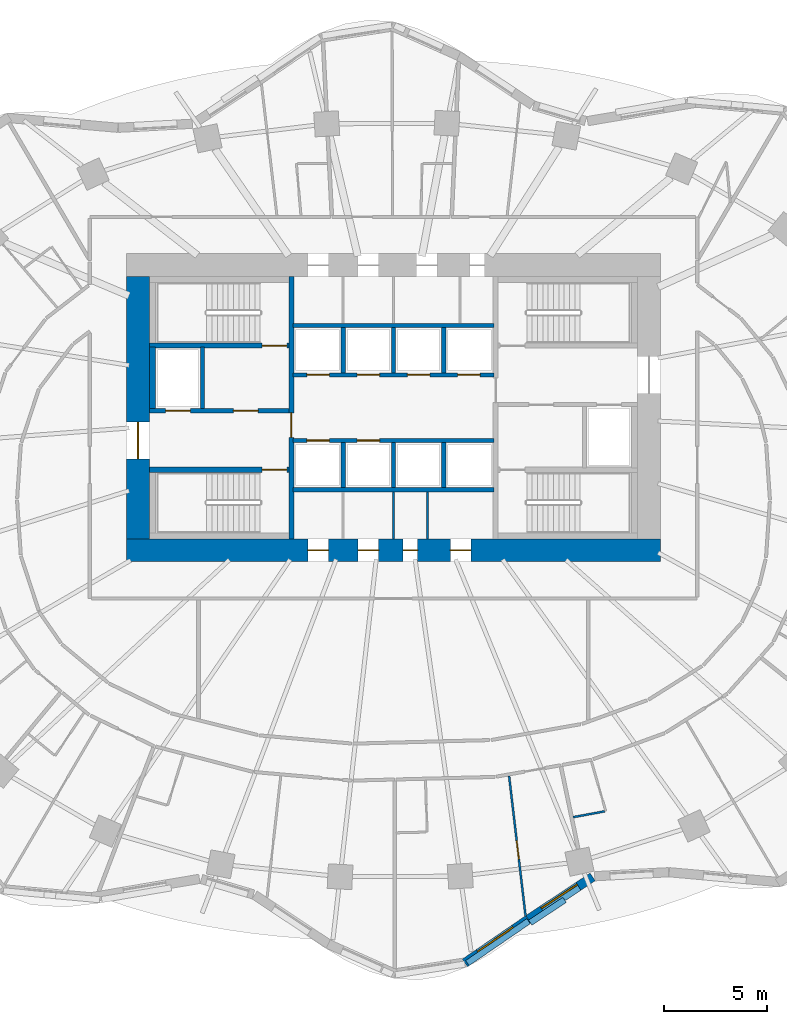
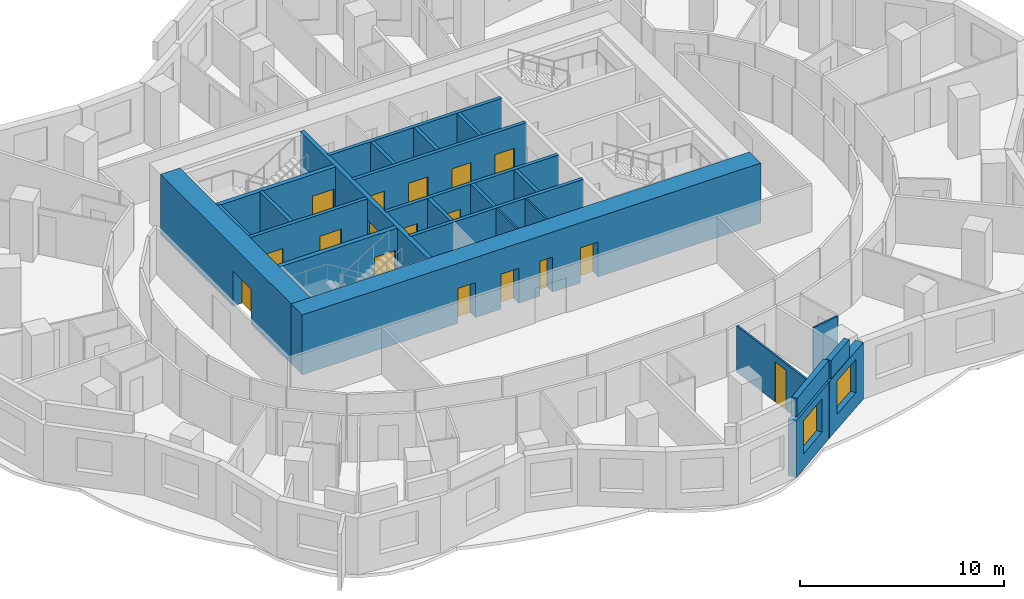
# One storey, part 5 of 11: 26 walls, 17 doors, 2 windows, 19 openings.
"""IFC4 building model written with IfcOpenShell, lengths in metres."""

from ifc_helpers import new_model, si_unit, direction, frame, frame_2d, origin, place, context, subcontext, project, spatial, rectangle, extrude, material, layer, layer_set, type_object, element, fill, save


model = new_model("IFC4")

# Units and contexts
model_context = context("Model", 3, precision=1e-05, world=origin(), true_north=direction((0.0, 1.0)))
body_context = subcontext(model_context, "Body", "Model", "MODEL_VIEW")
ifc_project = project(units=[si_unit("LENGTHUNIT", "METRE"), si_unit("AREAUNIT", "SQUARE_METRE"), si_unit("VOLUMEUNIT", "CUBIC_METRE"), si_unit("PLANEANGLEUNIT", "RADIAN"), si_unit("MASSUNIT", "GRAM", prefix="KILO")], contexts=[model_context])

# Site, building, storey
site_placement = place(None, origin())
site = spatial("IfcSite", under=ifc_project, at=site_placement, CompositionType="ELEMENT")
building_placement = place(site_placement, origin())
building = spatial("IfcBuilding", under=site, at=building_placement, Name="Rubra Terraces Tower", CompositionType="ELEMENT")
storey_placement = place(building_placement, frame((0.0, 0.0, 81.60009765625)))
storey = spatial("IfcBuildingStorey", under=building, at=storey_placement, Name="L18", CompositionType="ELEMENT", Elevation=81.60009765625)

# Wall, opening, window
ifc_material_1 = material(Name="Brick masonry red-brown", Category="masonry")
ifc_layer_1 = layer(ifc_material_1, 0.449951171875)
ifc_layer_set_1 = layer_set([ifc_layer_1], Name="Brick masonry red-brown")
wall_type_1 = type_object("IfcWallType", Name="Brick facade wall 450", PredefinedType="SOLIDWALL", material=ifc_layer_set_1)
wall_1_placement = place(storey_placement, frame((3.478515625, -22.559814453125, 0.0), z_axis=(0.0, 0.0, 1.0), x_axis=(0.824722766417, 0.565537230033, 0.0)))
wall_1 = element("IfcWall", 1, at=wall_1_placement, inside=storey, type_object=wall_type_1, Name="Facade wall L18 bay 32", PredefinedType="SOLIDWALL", context=body_context, shape_type="SweptSolid", body=[
    extrude(rectangle(XDim=3.742431640625, YDim=0.449951171875, at=frame_2d((1.87109375, 0.0))), origin(), (0.0, 0.0, 1.0), 3.39990234375),
])
opening_1_placement = place(wall_1_placement, frame((0.8212890625, 0.0, 0.89990234375)))
opening_1 = element("IfcOpeningElement", 2, at=opening_1_placement, cuts=wall_1, Name="Opening W1", PredefinedType="OPENING", context=body_context, shape_type="SweptSolid", body=[
    extrude(rectangle(XDim=2.10009765625, YDim=2.0, at=frame_2d((1.050048828125, 1.0))), frame((0.0, 0.23486328125, 0.0), z_axis=(0.0, -1.0, 0.0), x_axis=(1.0, 0.0, 0.0)), (0.0, 0.0, 1.0), 0.469970703125),
])
ifc_material_2 = material(Name="Clear glass in aluminium frame", Category="aluminium")
window_type = type_object("IfcWindowType", Name="Fixed deep-set window 2100 x 2000", PartitioningType="SINGLE_PANEL", PredefinedType="WINDOW", material=ifc_material_2)
window_1_placement = place(opening_1_placement, origin())
window_1 = element("IfcWindow", 3, at=window_1_placement, inside=storey, type_object=window_type, Name="Window L18 bay 32", OverallHeight=2.0, OverallWidth=2.10009765625, PartitioningType="SINGLE_PANEL", PredefinedType="WINDOW", context=body_context, shape_type="SweptSolid", body=[
    extrude(rectangle(XDim=2.10009765625, YDim=2.0, at=frame_2d((1.050048828125, 1.0))), frame((0.0, 0.135009765625, 0.0), z_axis=(0.0, -1.0, 0.0), x_axis=(1.0, 0.0, 0.0)), (0.0, 0.0, 1.0), 0.06005859375),
])
fill(opening_1, window_1)

wall_2_placement = place(storey_placement, frame((6.568115234375, -20.44140625, 0.0), z_axis=(0.0, 0.0, 1.0), x_axis=(0.834034214531, 0.551712723246, 0.0)))
wall_2 = element("IfcWall", 4, at=wall_2_placement, inside=storey, type_object=wall_type_1, Name="Facade wall L18 bay 33", PredefinedType="SOLIDWALL", context=body_context, shape_type="SweptSolid", body=[
    extrude(rectangle(XDim=3.75732421875, YDim=0.449951171875, at=frame_2d((1.878662109375, 0.0))), origin(), (0.0, 0.0, 1.0), 3.39990234375),
])
opening_2_placement = place(wall_2_placement, frame((0.82861328125, 0.0, 0.89990234375)))
opening_2 = element("IfcOpeningElement", 5, at=opening_2_placement, cuts=wall_2, Name="Opening W1", PredefinedType="OPENING", context=body_context, shape_type="SweptSolid", body=[
    extrude(rectangle(XDim=2.10009765625, YDim=2.0, at=frame_2d((1.050048828125, 1.0))), frame((0.0, 0.23486328125, 0.0), z_axis=(0.0, -1.0, 0.0), x_axis=(1.0, 0.0, 0.0)), (0.0, 0.0, 1.0), 0.469970703125),
])
window_2_placement = place(opening_2_placement, origin())
window_2 = element("IfcWindow", 6, at=window_2_placement, inside=storey, type_object=window_type, Name="Window L18 bay 33", OverallHeight=2.0, OverallWidth=2.10009765625, PartitioningType="SINGLE_PANEL", PredefinedType="WINDOW", context=body_context, shape_type="SweptSolid", body=[
    extrude(rectangle(XDim=2.10009765625, YDim=2.0, at=frame_2d((1.050048828125, 1.0))), frame((0.0, 0.135009765625, 0.0), z_axis=(0.0, -1.0, 0.0), x_axis=(1.0, 0.0, 0.0)), (0.0, 0.0, 1.0), 0.06005859375),
])
fill(opening_2, window_2)

# Walls
ifc_layer_2 = layer(ifc_material_1, 0.300048828125)
ifc_layer_set_2 = layer_set([ifc_layer_2], Name="Brick masonry red-brown")
wall_type_2 = type_object("IfcWallType", Name="Brick parapet 300", PredefinedType="PARAPET", material=ifc_layer_set_2)
wall_3_placement = place(storey_placement, frame((3.59912109375, -22.56787109375, 3.599853515625), z_axis=(0.0, 0.0, 1.0), x_axis=(0.82476034254, 0.565482428881, 0.0)))
element("IfcWall", 7, at=wall_3_placement, inside=storey, type_object=wall_type_2, Name="Parapet L18 bay 32", PredefinedType="PARAPET", context=body_context, shape_type="SweptSolid", body=[
    extrude(rectangle(XDim=3.61572265625, YDim=0.300048828125, at=frame_2d((1.807861328125, 0.0))), origin(), (0.0, 0.0, 1.0), 1.10009765625),
])
wall_4_placement = place(storey_placement, frame((6.665283203125, -20.593017578125, 3.599853515625), z_axis=(0.0, 0.0, 1.0), x_axis=(0.834027642059, 0.551722658843, 0.0)))
element("IfcWall", 8, at=wall_4_placement, inside=storey, type_object=wall_type_2, Name="Parapet L18 bay 33", PredefinedType="PARAPET", context=body_context, shape_type="SweptSolid", body=[
    extrude(rectangle(XDim=2.008056640625, YDim=0.300048828125, at=frame_2d((1.00390625, 0.0))), origin(), (0.0, 0.0, 1.0), 1.10009765625),
])

# Wall, openings, doors
ifc_material_3 = material(Name="Concrete C60", Category="concrete")
ifc_layer_3 = layer(ifc_material_3, 1.10009765625)
ifc_layer_set_3 = layer_set([ifc_layer_3], Name="Concrete C60")
wall_type_3 = type_object("IfcWallType", Name="CORE WALL 1100 C60", PredefinedType="SHEAR", material=ifc_layer_set_3)
wall_5_placement = place(storey_placement, frame((-13.0, -2.449951171875, 0.0), z_axis=(0.0, 0.0, 1.0), x_axis=(1.0, 0.0, 0.0)))
wall_5 = element("IfcWall", 9, at=wall_5_placement, inside=storey, type_object=wall_type_3, Name="CORE WALL S L18", PredefinedType="SHEAR", context=body_context, shape_type="SweptSolid", body=[
    extrude(rectangle(XDim=26.0, YDim=1.10009765625, at=frame_2d((13.0, 0.0))), origin(), (0.0, 0.0, 1.0), 3.599853515625),
])
opening_3_placement = place(wall_5_placement, frame((8.824951171875, 0.0, 0.0)))
opening_3 = element("IfcOpeningElement", 10, at=opening_3_placement, cuts=wall_5, Name="Opening L18.C19", PredefinedType="OPENING", context=body_context, shape_type="SweptSolid", body=[
    extrude(rectangle(XDim=1.0, YDim=2.10009765625, at=frame_2d((0.5, 1.050048828125))), frame((0.0, 0.56005859375, 0.0), z_axis=(0.0, -1.0, 0.0), x_axis=(1.0, 0.0, 0.0)), (0.0, 0.0, 1.0), 1.1201171875),
])
opening_4_placement = place(wall_5_placement, frame((11.27490234375, 0.0, 0.0)))
opening_4 = element("IfcOpeningElement", 11, at=opening_4_placement, cuts=wall_5, Name="Opening L18.C20", PredefinedType="OPENING", context=body_context, shape_type="SweptSolid", body=[
    extrude(rectangle(XDim=1.0, YDim=2.10009765625, at=frame_2d((0.5, 1.050048828125))), frame((0.0, 0.56005859375, 0.0), z_axis=(0.0, -1.0, 0.0), x_axis=(1.0, 0.0, 0.0)), (0.0, 0.0, 1.0), 1.1201171875),
])
opening_5_placement = place(wall_5_placement, frame((13.47509765625, 0.0, 0.0)))
opening_5 = element("IfcOpeningElement", 12, at=opening_5_placement, cuts=wall_5, Name="Opening L18.C21", PredefinedType="OPENING", context=body_context, shape_type="SweptSolid", body=[
    extrude(rectangle(XDim=0.699951171875, YDim=2.10009765625, at=frame_2d((0.35009765625, 1.050048828125))), frame((0.0, 0.56005859375, 0.0), z_axis=(0.0, -1.0, 0.0), x_axis=(1.0, 0.0, 0.0)), (0.0, 0.0, 1.0), 1.1201171875),
])
opening_6_placement = place(wall_5_placement, frame((15.77490234375, 0.0, 0.0)))
opening_6 = element("IfcOpeningElement", 13, at=opening_6_placement, cuts=wall_5, Name="Opening L18.C22", PredefinedType="OPENING", context=body_context, shape_type="SweptSolid", body=[
    extrude(rectangle(XDim=1.0, YDim=2.10009765625, at=frame_2d((0.5, 1.050048828125))), frame((0.0, 0.56005859375, 0.0), z_axis=(0.0, -1.0, 0.0), x_axis=(1.0, 0.0, 0.0)), (0.0, 0.0, 1.0), 1.1201171875),
])
ifc_material_4 = material(Name="Painted steel", Category="steel")
door_type_1 = type_object("IfcDoorType", Name="Fire door 1000x2100 single", OperationType="NOTDEFINED", PredefinedType="DOOR", material=ifc_material_4)
door_1_placement = place(opening_3_placement, origin())
door_1 = element("IfcDoor", 14, at=door_1_placement, inside=storey, type_object=door_type_1, Name="Guest pantry door", OperationType="SINGLE_SWING_LEFT", OverallHeight=2.10009765625, OverallWidth=1.0, PredefinedType="DOOR", context=body_context, shape_type="SweptSolid", body=[
    extrude(rectangle(XDim=1.0, YDim=2.10009765625, at=frame_2d((0.5, 1.050048828125))), frame((0.0, 0.02490234375, 0.0), z_axis=(0.0, -1.0, 0.0), x_axis=(1.0, 0.0, 0.0)), (0.0, 0.0, 1.0), 0.050048828125),
])
fill(opening_3, door_1)
door_2_placement = place(opening_4_placement, origin())
door_2 = element("IfcDoor", 15, at=door_2_placement, inside=storey, type_object=door_type_1, Name="Linen store door", OperationType="SINGLE_SWING_RIGHT", OverallHeight=2.10009765625, OverallWidth=1.0, PredefinedType="DOOR", context=body_context, shape_type="SweptSolid", body=[
    extrude(rectangle(XDim=1.0, YDim=2.10009765625, at=frame_2d((0.5, 1.050048828125))), frame((0.0, 0.02490234375, 0.0), z_axis=(0.0, -1.0, 0.0), x_axis=(1.0, 0.0, 0.0)), (0.0, 0.0, 1.0), 0.050048828125),
])
fill(opening_4, door_2)
door_3_placement = place(opening_6_placement, origin())
door_3 = element("IfcDoor", 16, at=door_3_placement, inside=storey, type_object=door_type_1, Name="Housekeeping store door", OperationType="SINGLE_SWING_RIGHT", OverallHeight=2.10009765625, OverallWidth=1.0, PredefinedType="DOOR", context=body_context, shape_type="SweptSolid", body=[
    extrude(rectangle(XDim=1.0, YDim=2.10009765625, at=frame_2d((0.5, 1.050048828125))), frame((0.0, 0.02490234375, 0.0), z_axis=(0.0, -1.0, 0.0), x_axis=(1.0, 0.0, 0.0)), (0.0, 0.0, 1.0), 0.050048828125),
])
fill(opening_6, door_3)
door_type_2 = type_object("IfcDoorType", Name="Riser access door 700x2100 single", OperationType="NOTDEFINED", PredefinedType="DOOR", material=ifc_material_4)
door_4_placement = place(opening_5_placement, origin())
door_4 = element("IfcDoor", 17, at=door_4_placement, inside=storey, type_object=door_type_2, Name="Electrical riser room door", OperationType="SINGLE_SWING_LEFT", OverallHeight=2.10009765625, OverallWidth=0.699951171875, PredefinedType="DOOR", context=body_context, shape_type="SweptSolid", body=[
    extrude(rectangle(XDim=0.699951171875, YDim=2.10009765625, at=frame_2d((0.35009765625, 1.050048828125))), frame((0.0, 0.02490234375, 0.0), z_axis=(0.0, -1.0, 0.0), x_axis=(1.0, 0.0, 0.0)), (0.0, 0.0, 1.0), 0.050048828125),
])
fill(opening_5, door_4)

# Wall, opening, door
wall_6_placement = place(storey_placement, frame((-12.449951171875, -1.89990234375, 0.0), z_axis=(0.0, 0.0, 1.0), x_axis=(0.0, 1.0, 0.0)))
wall_6 = element("IfcWall", 18, at=wall_6_placement, inside=storey, type_object=wall_type_3, Name="CORE WALL W L18", PredefinedType="SHEAR", context=body_context, shape_type="SweptSolid", body=[
    extrude(rectangle(XDim=12.7998046875, YDim=1.10009765625, at=frame_2d((6.39990234375, 0.0))), origin(), (0.0, 0.0, 1.0), 3.599853515625),
])
opening_7_placement = place(wall_6_placement, frame((3.89990234375, 0.0, 0.0)))
opening_7 = element("IfcOpeningElement", 19, at=opening_7_placement, cuts=wall_6, Name="Opening L18.C01", PredefinedType="OPENING", context=body_context, shape_type="SweptSolid", body=[
    extrude(rectangle(XDim=1.800048828125, YDim=2.10009765625, at=frame_2d((0.89990234375, 1.050048828125))), frame((0.0, 0.56005859375, 0.0), z_axis=(0.0, -1.0, 0.0), x_axis=(1.0, 0.0, 0.0)), (0.0, 0.0, 1.0), 1.1201171875),
])
door_type_3 = type_object("IfcDoorType", Name="Fire door 1800x2100 double", OperationType="NOTDEFINED", PredefinedType="DOOR", material=ifc_material_4)
door_5_placement = place(opening_7_placement, origin())
door_5 = element("IfcDoor", 20, at=door_5_placement, inside=storey, type_object=door_type_3, Name="Core entrance door FF1", OperationType="DOUBLE_DOOR_SINGLE_SWING", OverallHeight=2.10009765625, OverallWidth=1.800048828125, PredefinedType="DOOR", context=body_context, shape_type="SweptSolid", body=[
    extrude(rectangle(XDim=1.800048828125, YDim=2.10009765625, at=frame_2d((0.89990234375, 1.050048828125))), frame((0.0, 0.02490234375, 0.0), z_axis=(0.0, -1.0, 0.0), x_axis=(1.0, 0.0, 0.0)), (0.0, 0.0, 1.0), 0.050048828125),
])
fill(opening_7, door_5)

# Wall
ifc_material_5 = material(Name="Concrete C40", Category="concrete")
ifc_layer_4 = layer(ifc_material_5, 0.300048828125)
ifc_layer_set_4 = layer_set([ifc_layer_4], Name="Concrete C40")
wall_type_4 = type_object("IfcWallType", Name="Core lining wall 300 concrete", PredefinedType="SOLIDWALL", material=ifc_layer_set_4)
wall_7_placement = place(storey_placement, frame((-11.75, 4.449951171875, 0.0), z_axis=(0.0, 0.0, 1.0), x_axis=(0.0, 1.0, 0.0)))
element("IfcWall", 21, at=wall_7_placement, inside=storey, type_object=wall_type_4, Name="CORE LINING WALL L18", PredefinedType="SOLIDWALL", context=body_context, shape_type="SweptSolid", body=[
    extrude(rectangle(XDim=3.0, YDim=0.300048828125, at=frame_2d((1.5, 0.0))), origin(), (0.0, 0.0, 1.0), 3.39990234375),
])

# Wall, openings, doors
ifc_material_6 = material(Name="Concrete C30", Category="concrete")
ifc_layer_5 = layer(ifc_material_6, 0.199951171875)
ifc_layer_set_5 = layer_set([ifc_layer_5], Name="Concrete C30")
wall_type_5 = type_object("IfcWallType", Name="Core wall 200 concrete", PredefinedType="SOLIDWALL", material=ifc_layer_set_5)
wall_8_placement = place(storey_placement, frame((-11.89990234375, 4.35009765625, 0.0), z_axis=(0.0, 0.0, 1.0), x_axis=(1.0, 0.0, 0.0)))
wall_8 = element("IfcWall", 22, at=wall_8_placement, inside=storey, type_object=wall_type_5, Name="STAIR WALL L18", PredefinedType="SOLIDWALL", context=body_context, shape_type="SweptSolid", body=[
    extrude(rectangle(XDim=6.7998046875, YDim=0.199951171875, at=frame_2d((3.39990234375, 0.0))), origin(), (0.0, 0.0, 1.0), 3.39990234375),
])
opening_8_placement = place(wall_8_placement, frame((4.10009765625, 0.0, 0.0)))
opening_8 = element("IfcOpeningElement", 23, at=opening_8_placement, cuts=wall_8, Name="Opening L18.C05", PredefinedType="OPENING", context=body_context, shape_type="SweptSolid", body=[
    extrude(rectangle(XDim=1.199951171875, YDim=2.10009765625, at=frame_2d((0.60009765625, 1.050048828125))), frame((0.0, 0.10986328125, 0.0), z_axis=(0.0, -1.0, 0.0), x_axis=(1.0, 0.0, 0.0)), (0.0, 0.0, 1.0), 0.219970703125),
])
opening_9_placement = place(wall_8_placement, frame((0.800048828125, 0.0, 0.0)))
opening_9 = element("IfcOpeningElement", 24, at=opening_9_placement, cuts=wall_8, Name="Opening L18.C11", PredefinedType="OPENING", context=body_context, shape_type="SweptSolid", body=[
    extrude(rectangle(XDim=1.199951171875, YDim=2.10009765625, at=frame_2d((0.60009765625, 1.050048828125))), frame((0.0, 0.10986328125, 0.0), z_axis=(0.0, -1.0, 0.0), x_axis=(1.0, 0.0, 0.0)), (0.0, 0.0, 1.0), 0.219970703125),
])
door_type_4 = type_object("IfcDoorType", Name="Fire door 1200x2100 single", OperationType="NOTDEFINED", PredefinedType="DOOR", material=ifc_material_4)
door_6_placement = place(opening_8_placement, origin())
door_6 = element("IfcDoor", 25, at=door_6_placement, inside=storey, type_object=door_type_4, Name="Stair vestibule door S2", OperationType="SINGLE_SWING_LEFT", OverallHeight=2.10009765625, OverallWidth=1.199951171875, PredefinedType="DOOR", context=body_context, shape_type="SweptSolid", body=[
    extrude(rectangle(XDim=1.199951171875, YDim=2.10009765625, at=frame_2d((0.60009765625, 1.050048828125))), frame((0.0, 0.02490234375, 0.0), z_axis=(0.0, -1.0, 0.0), x_axis=(1.0, 0.0, 0.0)), (0.0, 0.0, 1.0), 0.050048828125),
])
fill(opening_8, door_6)
ifc_material_7 = material(Name="Stainless steel", Category="steel")
door_type_5 = type_object("IfcDoorType", Name="Lift landing door 1200x2100", OperationType="NOTDEFINED", PredefinedType="DOOR", material=ifc_material_7)
door_7_placement = place(opening_9_placement, origin())
door_7 = element("IfcDoor", 26, at=door_7_placement, inside=storey, type_object=door_type_5, Name="Landing door FF1", OperationType="SLIDING_TO_RIGHT", OverallHeight=2.10009765625, OverallWidth=1.199951171875, PredefinedType="DOOR", context=body_context, shape_type="SweptSolid", body=[
    extrude(rectangle(XDim=1.199951171875, YDim=2.10009765625, at=frame_2d((0.60009765625, 1.050048828125))), frame((0.0, 0.02490234375, 0.0), z_axis=(0.0, -1.0, 0.0), x_axis=(1.0, 0.0, 0.0)), (0.0, 0.0, 1.0), 0.050048828125),
])
fill(opening_9, door_7)

# Walls
wall_9_placement = place(storey_placement, frame((-9.300048828125, 4.449951171875, 0.0), z_axis=(0.0, 0.0, 1.0), x_axis=(0.0, 1.0, 0.0)))
element("IfcWall", 27, at=wall_9_placement, inside=storey, type_object=wall_type_5, Name="STAIR WALL L18", PredefinedType="SOLIDWALL", context=body_context, shape_type="SweptSolid", body=[
    extrude(rectangle(XDim=3.0, YDim=0.199951171875, at=frame_2d((1.5, 0.0))), origin(), (0.0, 0.0, 1.0), 3.39990234375),
])
wall_10_placement = place(storey_placement, frame((-4.89990234375, 0.5, 0.0), z_axis=(0.0, 0.0, 1.0), x_axis=(1.0, 0.0, 0.0)))
element("IfcWall", 28, at=wall_10_placement, inside=storey, type_object=wall_type_5, Name="LIFT SHAFT WALL L18", PredefinedType="SOLIDWALL", context=body_context, shape_type="SweptSolid", body=[
    extrude(rectangle(XDim=9.7998046875, YDim=0.199951171875, at=frame_2d((4.89990234375, 0.0))), origin(), (0.0, 0.0, 1.0), 3.39990234375),
])

# Wall, openings, doors
wall_11_placement = place(storey_placement, frame((-4.89990234375, 2.89990234375, 0.0), z_axis=(0.0, 0.0, 1.0), x_axis=(1.0, 0.0, 0.0)))
wall_11 = element("IfcWall", 29, at=wall_11_placement, inside=storey, type_object=wall_type_5, Name="LIFT SHAFT WALL L18", PredefinedType="SOLIDWALL", context=body_context, shape_type="SweptSolid", body=[
    extrude(rectangle(XDim=9.7998046875, YDim=0.199951171875, at=frame_2d((4.89990234375, 0.0))), origin(), (0.0, 0.0, 1.0), 3.39990234375),
])
opening_10_placement = place(wall_11_placement, frame((0.675048828125, 0.0, 0.0)))
opening_10 = element("IfcOpeningElement", 30, at=opening_10_placement, cuts=wall_11, Name="Opening L18.C13", PredefinedType="OPENING", context=body_context, shape_type="SweptSolid", body=[
    extrude(rectangle(XDim=1.10009765625, YDim=2.10009765625, at=frame_2d((0.550048828125, 1.050048828125))), frame((0.0, 0.10986328125, 0.0), z_axis=(0.0, -1.0, 0.0), x_axis=(1.0, 0.0, 0.0)), (0.0, 0.0, 1.0), 0.219970703125),
])
opening_11_placement = place(wall_11_placement, frame((3.125, 0.0, 0.0)))
opening_11 = element("IfcOpeningElement", 31, at=opening_11_placement, cuts=wall_11, Name="Opening L18.C14", PredefinedType="OPENING", context=body_context, shape_type="SweptSolid", body=[
    extrude(rectangle(XDim=1.10009765625, YDim=2.10009765625, at=frame_2d((0.550048828125, 1.050048828125))), frame((0.0, 0.10986328125, 0.0), z_axis=(0.0, -1.0, 0.0), x_axis=(1.0, 0.0, 0.0)), (0.0, 0.0, 1.0), 0.219970703125),
])
door_type_6 = type_object("IfcDoorType", Name="Lift landing door 1100x2100", OperationType="NOTDEFINED", PredefinedType="DOOR", material=ifc_material_7)
door_8_placement = place(opening_10_placement, origin())
door_8 = element("IfcDoor", 32, at=door_8_placement, inside=storey, type_object=door_type_6, Name="Landing door LB1", OperationType="SLIDING_TO_RIGHT", OverallHeight=2.10009765625, OverallWidth=1.10009765625, PredefinedType="DOOR", context=body_context, shape_type="SweptSolid", body=[
    extrude(rectangle(XDim=1.10009765625, YDim=2.10009765625, at=frame_2d((0.550048828125, 1.050048828125))), frame((0.0, 0.02490234375, 0.0), z_axis=(0.0, -1.0, 0.0), x_axis=(1.0, 0.0, 0.0)), (0.0, 0.0, 1.0), 0.050048828125),
])
fill(opening_10, door_8)
door_9_placement = place(opening_11_placement, origin())
door_9 = element("IfcDoor", 33, at=door_9_placement, inside=storey, type_object=door_type_6, Name="Landing door LB2", OperationType="SLIDING_TO_LEFT", OverallHeight=2.10009765625, OverallWidth=1.10009765625, PredefinedType="DOOR", context=body_context, shape_type="SweptSolid", body=[
    extrude(rectangle(XDim=1.10009765625, YDim=2.10009765625, at=frame_2d((0.550048828125, 1.050048828125))), frame((0.0, 0.02490234375, 0.0), z_axis=(0.0, -1.0, 0.0), x_axis=(1.0, 0.0, 0.0)), (0.0, 0.0, 1.0), 0.050048828125),
])
fill(opening_11, door_9)

wall_12_placement = place(storey_placement, frame((-4.89990234375, 6.10009765625, 0.0), z_axis=(0.0, 0.0, 1.0), x_axis=(1.0, 0.0, 0.0)))
wall_12 = element("IfcWall", 34, at=wall_12_placement, inside=storey, type_object=wall_type_5, Name="LIFT SHAFT WALL L18", PredefinedType="SOLIDWALL", context=body_context, shape_type="SweptSolid", body=[
    extrude(rectangle(XDim=9.7998046875, YDim=0.199951171875, at=frame_2d((4.89990234375, 0.0))), origin(), (0.0, 0.0, 1.0), 3.39990234375),
])
opening_12_placement = place(wall_12_placement, frame((0.675048828125, 0.0, 0.0)))
opening_12 = element("IfcOpeningElement", 35, at=opening_12_placement, cuts=wall_12, Name="Opening L18.C15", PredefinedType="OPENING", context=body_context, shape_type="SweptSolid", body=[
    extrude(rectangle(XDim=1.10009765625, YDim=2.10009765625, at=frame_2d((0.550048828125, 1.050048828125))), frame((0.0, 0.10986328125, 0.0), z_axis=(0.0, -1.0, 0.0), x_axis=(1.0, 0.0, 0.0)), (0.0, 0.0, 1.0), 0.219970703125),
])
opening_13_placement = place(wall_12_placement, frame((3.125, 0.0, 0.0)))
opening_13 = element("IfcOpeningElement", 36, at=opening_13_placement, cuts=wall_12, Name="Opening L18.C16", PredefinedType="OPENING", context=body_context, shape_type="SweptSolid", body=[
    extrude(rectangle(XDim=1.10009765625, YDim=2.10009765625, at=frame_2d((0.550048828125, 1.050048828125))), frame((0.0, 0.10986328125, 0.0), z_axis=(0.0, -1.0, 0.0), x_axis=(1.0, 0.0, 0.0)), (0.0, 0.0, 1.0), 0.219970703125),
])
opening_14_placement = place(wall_12_placement, frame((5.574951171875, 0.0, 0.0)))
opening_14 = element("IfcOpeningElement", 37, at=opening_14_placement, cuts=wall_12, Name="Opening L18.C17", PredefinedType="OPENING", context=body_context, shape_type="SweptSolid", body=[
    extrude(rectangle(XDim=1.10009765625, YDim=2.10009765625, at=frame_2d((0.550048828125, 1.050048828125))), frame((0.0, 0.10986328125, 0.0), z_axis=(0.0, -1.0, 0.0), x_axis=(1.0, 0.0, 0.0)), (0.0, 0.0, 1.0), 0.219970703125),
])
opening_15_placement = place(wall_12_placement, frame((8.02490234375, 0.0, 0.0)))
opening_15 = element("IfcOpeningElement", 38, at=opening_15_placement, cuts=wall_12, Name="Opening L18.C18", PredefinedType="OPENING", context=body_context, shape_type="SweptSolid", body=[
    extrude(rectangle(XDim=1.10009765625, YDim=2.10009765625, at=frame_2d((0.550048828125, 1.050048828125))), frame((0.0, 0.10986328125, 0.0), z_axis=(0.0, -1.0, 0.0), x_axis=(1.0, 0.0, 0.0)), (0.0, 0.0, 1.0), 0.219970703125),
])
door_10_placement = place(opening_12_placement, origin())
door_10 = element("IfcDoor", 39, at=door_10_placement, inside=storey, type_object=door_type_6, Name="Landing door LB3", OperationType="SLIDING_TO_RIGHT", OverallHeight=2.10009765625, OverallWidth=1.10009765625, PredefinedType="DOOR", context=body_context, shape_type="SweptSolid", body=[
    extrude(rectangle(XDim=1.10009765625, YDim=2.10009765625, at=frame_2d((0.550048828125, 1.050048828125))), frame((0.0, 0.02490234375, 0.0), z_axis=(0.0, -1.0, 0.0), x_axis=(1.0, 0.0, 0.0)), (0.0, 0.0, 1.0), 0.050048828125),
])
fill(opening_12, door_10)
door_11_placement = place(opening_13_placement, origin())
door_11 = element("IfcDoor", 40, at=door_11_placement, inside=storey, type_object=door_type_6, Name="Landing door LB4", OperationType="SLIDING_TO_LEFT", OverallHeight=2.10009765625, OverallWidth=1.10009765625, PredefinedType="DOOR", context=body_context, shape_type="SweptSolid", body=[
    extrude(rectangle(XDim=1.10009765625, YDim=2.10009765625, at=frame_2d((0.550048828125, 1.050048828125))), frame((0.0, 0.02490234375, 0.0), z_axis=(0.0, -1.0, 0.0), x_axis=(1.0, 0.0, 0.0)), (0.0, 0.0, 1.0), 0.050048828125),
])
fill(opening_13, door_11)
door_12_placement = place(opening_14_placement, origin())
door_12 = element("IfcDoor", 41, at=door_12_placement, inside=storey, type_object=door_type_6, Name="Landing door LB5", OperationType="SLIDING_TO_RIGHT", OverallHeight=2.10009765625, OverallWidth=1.10009765625, PredefinedType="DOOR", context=body_context, shape_type="SweptSolid", body=[
    extrude(rectangle(XDim=1.10009765625, YDim=2.10009765625, at=frame_2d((0.550048828125, 1.050048828125))), frame((0.0, 0.02490234375, 0.0), z_axis=(0.0, -1.0, 0.0), x_axis=(1.0, 0.0, 0.0)), (0.0, 0.0, 1.0), 0.050048828125),
])
fill(opening_14, door_12)
door_13_placement = place(opening_15_placement, origin())
door_13 = element("IfcDoor", 42, at=door_13_placement, inside=storey, type_object=door_type_6, Name="Landing door LB6", OperationType="SLIDING_TO_LEFT", OverallHeight=2.10009765625, OverallWidth=1.10009765625, PredefinedType="DOOR", context=body_context, shape_type="SweptSolid", body=[
    extrude(rectangle(XDim=1.10009765625, YDim=2.10009765625, at=frame_2d((0.550048828125, 1.050048828125))), frame((0.0, 0.02490234375, 0.0), z_axis=(0.0, -1.0, 0.0), x_axis=(1.0, 0.0, 0.0)), (0.0, 0.0, 1.0), 0.050048828125),
])
fill(opening_15, door_13)

# Walls
wall_13_placement = place(storey_placement, frame((-4.89990234375, 8.5, 0.0), z_axis=(0.0, 0.0, 1.0), x_axis=(1.0, 0.0, 0.0)))
element("IfcWall", 43, at=wall_13_placement, inside=storey, type_object=wall_type_5, Name="LIFT SHAFT WALL L18", PredefinedType="SOLIDWALL", context=body_context, shape_type="SweptSolid", body=[
    extrude(rectangle(XDim=9.7998046875, YDim=0.199951171875, at=frame_2d((4.89990234375, 0.0))), origin(), (0.0, 0.0, 1.0), 3.39990234375),
])
for number, where, z_axis, x_axis, name in (
    (44, (-2.449951171875, 0.60009765625, 0.0), (0.0, 0.0, 1.0), (0.0, 1.0, 0.0), "LIFT SHAFT WALL L18"),
    (45, (0.0, 0.60009765625, 0.0), (0.0, 0.0, 1.0), (0.0, 1.0, 0.0), "LIFT SHAFT WALL L18"),
    (46, (2.449951171875, 0.60009765625, 0.0), (0.0, 0.0, 1.0), (0.0, 1.0, 0.0), "LIFT SHAFT WALL L18"),
    (47, (-2.449951171875, 6.199951171875, 0.0), (0.0, 0.0, 1.0), (0.0, 1.0, 0.0), "LIFT SHAFT WALL L18"),
    (48, (0.0, 6.199951171875, 0.0), (0.0, 0.0, 1.0), (0.0, 1.0, 0.0), "LIFT SHAFT WALL L18"),
    (49, (2.449951171875, 6.199951171875, 0.0), (0.0, 0.0, 1.0), (0.0, 1.0, 0.0), "LIFT SHAFT WALL L18"),
):
    element("IfcWall", number, at=place(storey_placement, frame(where, z_axis=z_axis, x_axis=x_axis)), inside=storey, type_object=wall_type_5, Name=name, PredefinedType="SOLIDWALL", context=body_context, shape_type="SweptSolid", body=[
        extrude(rectangle(XDim=2.199951171875, YDim=0.199951171875, at=frame_2d((1.10009765625, 0.0))), origin(), (0.0, 0.0, 1.0), 3.39990234375),
    ])

# Wall, opening, door
ifc_material_8 = material(Name="Plasterboard on steel stud", Category="steel")
ifc_layer_6 = layer(ifc_material_8, 0.10009765625)
ifc_layer_set_6 = layer_set([ifc_layer_6], Name="Plasterboard on steel stud")
wall_type_6 = type_object("IfcWallType", Name="ROOM PARTITION 100", PredefinedType="PARTITIONING", material=ifc_layer_set_6)
wall_14_placement = place(storey_placement, frame((6.433349609375, -20.256103515625, 0.0), z_axis=(0.0, 0.0, 1.0), x_axis=(-0.116866039573, 0.993147687303, 0.0)))
wall_14 = element("IfcWall", 50, at=wall_14_placement, inside=storey, type_object=wall_type_6, Name="PARTITION", PredefinedType="PARTITIONING", context=body_context, shape_type="SweptSolid", body=[
    extrude(rectangle(XDim=6.856201171875, YDim=0.10009765625, at=frame_2d((3.42822265625, 0.0))), origin(), (0.0, 0.0, 1.0), 2.783935546875),
])
opening_16_placement = place(wall_14_placement, frame((2.781005859375, 0.0, 0.0)))
opening_16 = element("IfcOpeningElement", 51, at=opening_16_placement, cuts=wall_14, Name="Opening 18-128", PredefinedType="OPENING", context=body_context, shape_type="SweptSolid", body=[
    extrude(rectangle(XDim=0.89990234375, YDim=2.39990234375, at=frame_2d((0.449951171875, 1.199951171875))), frame((0.0, 0.06005859375, 0.0), z_axis=(0.0, -1.0, 0.0), x_axis=(1.0, 0.0, 0.0)), (0.0, 0.0, 1.0), 0.1201171875),
])
ifc_material_9 = material(Name="Veneered timber door leaf, fire-rated", Category="wood")
door_type_7 = type_object("IfcDoorType", Name="SUITE ENTRANCE DOOR 900 X 2400", OperationType="SINGLE_SWING_LEFT", PredefinedType="DOOR", material=ifc_material_9)
door_14_placement = place(opening_16_placement, origin())
door_14 = element("IfcDoor", 52, at=door_14_placement, inside=storey, type_object=door_type_7, Name="DOOR 18-128", OperationType="SINGLE_SWING_LEFT", OverallHeight=2.39990234375, OverallWidth=0.89990234375, PredefinedType="DOOR", context=body_context, shape_type="SweptSolid", body=[
    extrude(rectangle(XDim=0.89990234375, YDim=2.39990234375, at=frame_2d((0.449951171875, 1.199951171875))), frame((0.0, 0.02490234375, 0.0), z_axis=(0.0, -1.0, 0.0), x_axis=(1.0, 0.0, 0.0)), (0.0, 0.0, 1.0), 0.050048828125),
])
fill(opening_16, door_14)

# Walls
wall_15_placement = place(storey_placement, frame((10.294921875, -15.170166015625, 0.0), z_axis=(0.0, 0.0, 1.0), x_axis=(-0.983258222596, -0.182217638271, 0.0)))
element("IfcWall", 53, at=wall_15_placement, inside=storey, type_object=wall_type_6, Name="PARTITION", PredefinedType="PARTITIONING", context=body_context, shape_type="SweptSolid", body=[
    extrude(rectangle(XDim=1.566162109375, YDim=0.10009765625, at=frame_2d((0.783203125, 0.0))), origin(), (0.0, 0.0, 1.0), 2.783935546875),
])
ifc_material_10 = material(Name="Blockwork", Category="masonry")
ifc_layer_7 = layer(ifc_material_10, 0.10009765625)
ifc_layer_set_7 = layer_set([ifc_layer_7], Name="Blockwork")
wall_type_7 = type_object("IfcWallType", Name="Service partition 100 blockwork", PredefinedType="PARTITIONING", material=ifc_layer_set_7)
for number, where, z_axis, x_axis, name in (
    (54, (0.0, -1.89990234375, 0.0), (0.0, 0.0, 1.0), (0.0, 1.0, 0.0), "SERVICE ROOM PARTITION L18"),
    (55, (1.64990234375, -1.89990234375, 0.0), (0.0, 0.0, 1.0), (0.0, 1.0, 0.0), "SERVICE ROOM PARTITION L18"),
):
    element("IfcWall", number, at=place(storey_placement, frame(where, z_axis=z_axis, x_axis=x_axis)), inside=storey, type_object=wall_type_7, Name=name, PredefinedType="PARTITIONING", context=body_context, shape_type="SweptSolid", body=[
        extrude(rectangle(XDim=2.2998046875, YDim=0.10009765625, at=frame_2d((1.14990234375, 0.0))), origin(), (0.0, 0.0, 1.0), 3.39990234375),
    ])

# Wall, opening, door
ifc_layer_8 = layer(ifc_material_5, 0.25)
ifc_layer_set_8 = layer_set([ifc_layer_8], Name="Concrete C40")
wall_type_8 = type_object("IfcWallType", Name="Stair enclosure wall 250 concrete", PredefinedType="SOLIDWALL", material=ifc_layer_set_8)
wall_16_placement = place(storey_placement, frame((-11.89990234375, 1.47509765625, 0.0), z_axis=(0.0, 0.0, 1.0), x_axis=(1.0, 0.0, 0.0)))
wall_16 = element("IfcWall", 56, at=wall_16_placement, inside=storey, type_object=wall_type_8, Name="STAIR WALL L18", PredefinedType="SOLIDWALL", context=body_context, shape_type="SweptSolid", body=[
    extrude(rectangle(XDim=6.7998046875, YDim=0.25, at=frame_2d((3.39990234375, 0.0))), origin(), (0.0, 0.0, 1.0), 3.39990234375),
])
opening_17_placement = place(wall_16_placement, frame((5.5, 0.0, 0.0)))
opening_17 = element("IfcOpeningElement", 57, at=opening_17_placement, cuts=wall_16, Name="Opening L18.C07", PredefinedType="OPENING", context=body_context, shape_type="SweptSolid", body=[
    extrude(rectangle(XDim=1.199951171875, YDim=2.10009765625, at=frame_2d((0.60009765625, 1.050048828125))), frame((0.0, 0.135009765625, 0.0), z_axis=(0.0, -1.0, 0.0), x_axis=(1.0, 0.0, 0.0)), (0.0, 0.0, 1.0), 0.27001953125),
])
door_15_placement = place(opening_17_placement, origin())
door_15 = element("IfcDoor", 58, at=door_15_placement, inside=storey, type_object=door_type_4, Name="Stair door S1", OperationType="SINGLE_SWING_LEFT", OverallHeight=2.10009765625, OverallWidth=1.199951171875, PredefinedType="DOOR", context=body_context, shape_type="SweptSolid", body=[
    extrude(rectangle(XDim=1.199951171875, YDim=2.10009765625, at=frame_2d((0.60009765625, 1.050048828125))), frame((0.0, 0.02490234375, 0.0), z_axis=(0.0, -1.0, 0.0), x_axis=(1.0, 0.0, 0.0)), (0.0, 0.0, 1.0), 0.050048828125),
])
fill(opening_17, door_15)

wall_17_placement = place(storey_placement, frame((-11.89990234375, 7.52490234375, 0.0), z_axis=(0.0, 0.0, 1.0), x_axis=(1.0, 0.0, 0.0)))
wall_17 = element("IfcWall", 59, at=wall_17_placement, inside=storey, type_object=wall_type_8, Name="STAIR WALL L18", PredefinedType="SOLIDWALL", context=body_context, shape_type="SweptSolid", body=[
    extrude(rectangle(XDim=6.7998046875, YDim=0.25, at=frame_2d((3.39990234375, 0.0))), origin(), (0.0, 0.0, 1.0), 3.39990234375),
])
opening_18_placement = place(wall_17_placement, frame((5.5, 0.0, 0.0)))
opening_18 = element("IfcOpeningElement", 60, at=opening_18_placement, cuts=wall_17, Name="Opening L18.C09", PredefinedType="OPENING", context=body_context, shape_type="SweptSolid", body=[
    extrude(rectangle(XDim=1.199951171875, YDim=2.10009765625, at=frame_2d((0.60009765625, 1.050048828125))), frame((0.0, 0.135009765625, 0.0), z_axis=(0.0, -1.0, 0.0), x_axis=(1.0, 0.0, 0.0)), (0.0, 0.0, 1.0), 0.27001953125),
])
door_16_placement = place(opening_18_placement, origin())
door_16 = element("IfcDoor", 61, at=door_16_placement, inside=storey, type_object=door_type_4, Name="Stair door S2", OperationType="SINGLE_SWING_LEFT", OverallHeight=2.10009765625, OverallWidth=1.199951171875, PredefinedType="DOOR", context=body_context, shape_type="SweptSolid", body=[
    extrude(rectangle(XDim=1.199951171875, YDim=2.10009765625, at=frame_2d((0.60009765625, 1.050048828125))), frame((0.0, 0.02490234375, 0.0), z_axis=(0.0, -1.0, 0.0), x_axis=(1.0, 0.0, 0.0)), (0.0, 0.0, 1.0), 0.050048828125),
])
fill(opening_18, door_16)

wall_18_placement = place(storey_placement, frame((-4.97509765625, -1.89990234375, 0.0), z_axis=(0.0, 0.0, 1.0), x_axis=(0.0, 1.0, 0.0)))
wall_18 = element("IfcWall", 62, at=wall_18_placement, inside=storey, type_object=wall_type_8, Name="CORE LOBBY WALL L18", PredefinedType="SOLIDWALL", context=body_context, shape_type="SweptSolid", body=[
    extrude(rectangle(XDim=12.7998046875, YDim=0.25, at=frame_2d((6.39990234375, 0.0))), origin(), (0.0, 0.0, 1.0), 3.39990234375),
])
opening_19_placement = place(wall_18_placement, frame((4.949951171875, 0.0, 0.0)))
opening_19 = element("IfcOpeningElement", 63, at=opening_19_placement, cuts=wall_18, Name="Opening L18.C03", PredefinedType="OPENING", context=body_context, shape_type="SweptSolid", body=[
    extrude(rectangle(XDim=1.199951171875, YDim=2.10009765625, at=frame_2d((0.60009765625, 1.050048828125))), frame((0.0, 0.135009765625, 0.0), z_axis=(0.0, -1.0, 0.0), x_axis=(1.0, 0.0, 0.0)), (0.0, 0.0, 1.0), 0.27001953125),
])
door_17_placement = place(opening_19_placement, origin())
door_17 = element("IfcDoor", 64, at=door_17_placement, inside=storey, type_object=door_type_4, Name="Firefighting lobby door FF1", OperationType="SINGLE_SWING_LEFT", OverallHeight=2.10009765625, OverallWidth=1.199951171875, PredefinedType="DOOR", context=body_context, shape_type="SweptSolid", body=[
    extrude(rectangle(XDim=1.199951171875, YDim=2.10009765625, at=frame_2d((0.60009765625, 1.050048828125))), frame((0.0, 0.02490234375, 0.0), z_axis=(0.0, -1.0, 0.0), x_axis=(1.0, 0.0, 0.0)), (0.0, 0.0, 1.0), 0.050048828125),
])
fill(opening_19, door_17)

save(model, "model.ifc")
